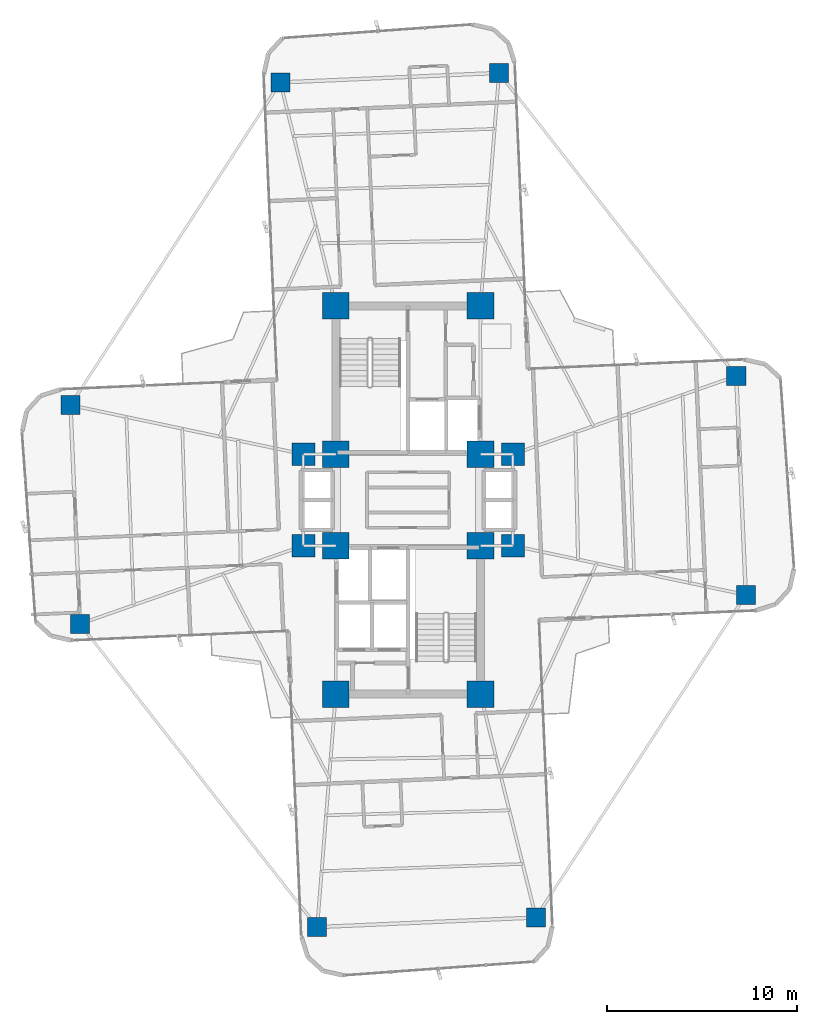
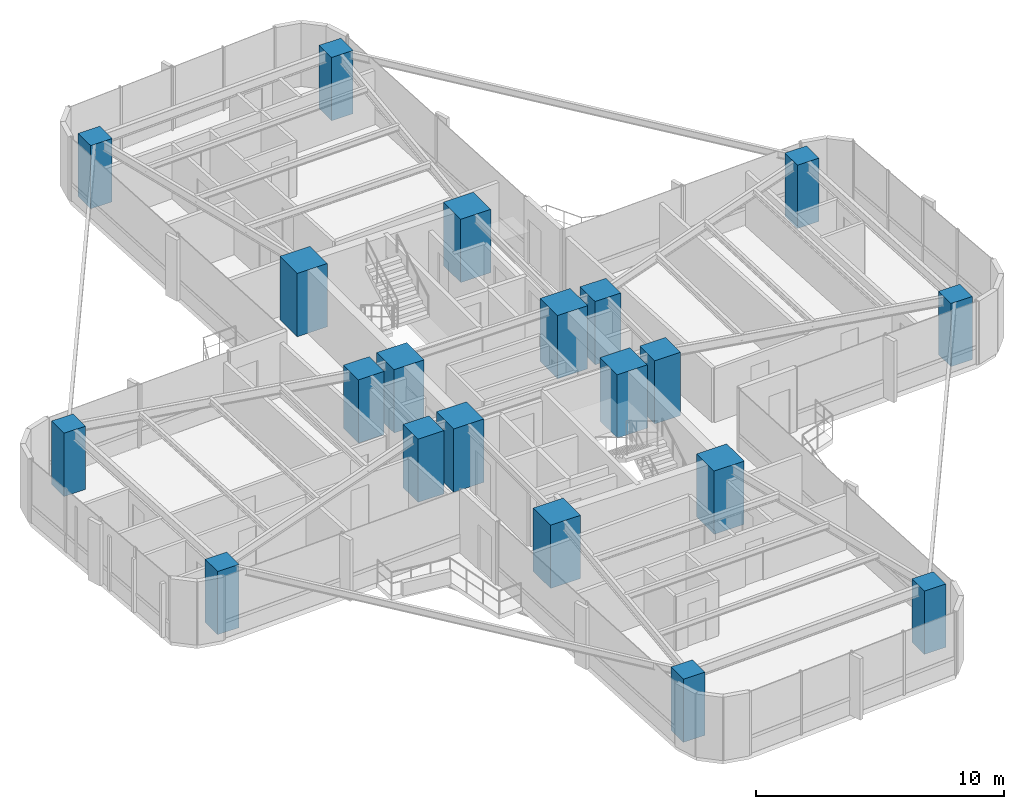
# One storey, part 1 of 26: 20 columns.
"""IFC4 building model written with IfcOpenShell, lengths in metres."""

import ifcopenshell
import ifcopenshell.guid

model = None  # the IFC model being written
_history = None  # IfcOwnerHistory: only IFC2X3 demands one
_inside = {}  # id of a spatial element -> (the spatial element, [elements in it])
_under = {}  # id of a project, library or spatial element -> (it, [spatial elements below it])
_declared = {}  # id of a project -> (the project, [libraries it declares])
_typed = {}  # id of a type object -> (the type object, [elements of that type])
_made_of = {}  # id of a material, layer set ... -> (it, [elements and type objects made of it])


def new_model(schema):
    """Start an empty IFC model of exactly this schema.

    Asked for "IFC4X3", IfcOpenShell would pick the latest addendum, in which some entities
    have other attributes; the version numbers below select the first issue.
    IFC2X3 requires an IfcOwnerHistory on every rooted entity: one is made here for all.
    """
    global model, _history
    if schema == "IFC4X3":
        model = ifcopenshell.file(schema_version=(4, 3, 0, 0))
    else:
        model = ifcopenshell.file(schema=schema)
    _inside.clear()
    _under.clear()
    _declared.clear()
    _typed.clear()
    _made_of.clear()
    _history = None
    if model.schema == "IFC2X3":
        org = make("IfcOrganization", Name="unknown")
        user = make(
            "IfcPersonAndOrganization",
            ThePerson=make("IfcPerson", FamilyName="unknown"),
            TheOrganization=org,
        )
        app = make(
            "IfcApplication",
            ApplicationDeveloper=org,
            Version="unknown",
            ApplicationFullName="unknown",
            ApplicationIdentifier="unknown",
        )
        _history = make(
            "IfcOwnerHistory",
            OwningUser=user,
            OwningApplication=app,
            ChangeAction="ADDED",
            CreationDate=0,
        )
    return model


def make(cls, **values):
    """One entity of the class cls with the attributes given. An attribute that is None is left unset."""
    return model.create_entity(
        cls, **{name: value for name, value in values.items() if value is not None}
    )


def rooted(cls, **values):
    """An entity with a GlobalId (a new one), such as an element, a storey or a relation."""
    return make(cls, GlobalId=ifcopenshell.guid.new(), OwnerHistory=_history, **values)


def si_unit(unit_type, name, prefix=None):
    """IfcSIUnit, for example si_unit("LENGTHUNIT", "METRE", prefix="MILLI")."""
    return make("IfcSIUnit", UnitType=unit_type, Prefix=prefix, Name=name)


def assignment(units):
    """IfcUnitAssignment: the units of a project."""
    return None if units is None else make("IfcUnitAssignment", Units=units)


def point(xyz):
    """IfcCartesianPoint."""
    return None if xyz is None else make("IfcCartesianPoint", Coordinates=xyz)


def direction(xyz):
    """IfcDirection."""
    return None if xyz is None else make("IfcDirection", DirectionRatios=xyz)


def frame(location, z_axis=None, x_axis=None):
    """IfcAxis2Placement3D, a coordinate frame: its origin and axes. An axis left out is left unset."""
    return make(
        "IfcAxis2Placement3D",
        Location=point(location),
        Axis=direction(z_axis),
        RefDirection=direction(x_axis),
    )


def frame_2d(location, x_axis=None):
    """IfcAxis2Placement2D, a coordinate frame in the plane: its origin and x axis."""
    return make(
        "IfcAxis2Placement2D", Location=point(location), RefDirection=direction(x_axis)
    )


def origin():
    """The frame at (0, 0, 0) with its axes left unset."""
    return frame((0.0, 0.0, 0.0))


def origin_2d():
    """The frame at (0, 0) in the plane with its x axis left unset."""
    return frame_2d((0.0, 0.0))


def place(relative_to, where):
    """IfcLocalPlacement: puts the frame where relative to a parent placement (None: the world)."""
    return make(
        "IfcLocalPlacement", PlacementRelTo=relative_to, RelativePlacement=where
    )


def context(
    kind, dimensions, precision=None, world=None, true_north=None, identifier=None
):
    """IfcGeometricRepresentationContext, for example the 3D "Model" context."""
    return make(
        "IfcGeometricRepresentationContext",
        ContextIdentifier=identifier,
        ContextType=kind,
        CoordinateSpaceDimension=dimensions,
        Precision=precision,
        WorldCoordinateSystem=world,
        TrueNorth=true_north,
    )


def subcontext(parent, identifier, kind, view, scale=None):
    """IfcGeometricRepresentationSubContext, for example "Body" below "Model"."""
    return make(
        "IfcGeometricRepresentationSubContext",
        ContextIdentifier=identifier,
        ContextType=kind,
        ParentContext=parent,
        TargetScale=scale,
        TargetView=view,
    )


def project(units=None, contexts=None):
    """IfcProject with its units and contexts."""
    return rooted(
        "IfcProject",
        Name="project",
        RepresentationContexts=contexts,
        UnitsInContext=assignment(units),
    )


def spatial(cls, under=None, at=None, **own):
    """A site, building, storey or space (cls), placed at a placement, below another one or the project."""
    s = rooted(cls, ObjectPlacement=at, **own)
    if under is not None:
        _under.setdefault(under.id(), (under, []))[1].append(s)
    return s


def profile(cls, at=None, kind="AREA", **sizes):
    """A parametric profile (cls). Its sizes go by their IFC names, for example OverallWidth=200.0."""
    return make(cls, ProfileType=kind, Position=at, **sizes)


def rectangle(**sizes):
    """IfcRectangleProfileDef."""
    return profile("IfcRectangleProfileDef", **sizes)


def extrude(swept, where, along, depth):
    """IfcExtrudedAreaSolid: the profile swept, set in the frame where, extruded along a direction by depth."""
    return make(
        "IfcExtrudedAreaSolid",
        SweptArea=swept,
        Position=where,
        ExtrudedDirection=direction(along),
        Depth=depth,
    )


def shape(context_of_items, identifier, shape_type, items):
    """IfcShapeRepresentation: the items that make up one representation, for example the "Body"."""
    return make(
        "IfcShapeRepresentation",
        ContextOfItems=context_of_items,
        RepresentationIdentifier=identifier,
        RepresentationType=shape_type,
        Items=items,
    )


def source(mapping_origin, context_of_items, identifier, shape_type, items):
    """IfcRepresentationMap: a shape defined once, which mapped items show again and again."""
    return make(
        "IfcRepresentationMap",
        MappingOrigin=mapping_origin,
        MappedRepresentation=shape(context_of_items, identifier, shape_type, items),
    )


def transform(
    local_origin,
    x_axis=None,
    y_axis=None,
    z_axis=None,
    scale=None,
    scale2=None,
    scale3=None,
    uniform=True,
):
    """IfcCartesianTransformationOperator3D, or its non-uniform kind. x_axis, y_axis, z_axis: its Axis1, 2, 3."""
    if uniform:
        return make(
            "IfcCartesianTransformationOperator3D",
            Axis1=direction(x_axis),
            Axis2=direction(y_axis),
            LocalOrigin=point(local_origin),
            Scale=scale,
            Axis3=direction(z_axis),
        )
    return make(
        "IfcCartesianTransformationOperator3DnonUniform",
        Axis1=direction(x_axis),
        Axis2=direction(y_axis),
        LocalOrigin=point(local_origin),
        Scale=scale,
        Axis3=direction(z_axis),
        Scale2=scale2,
        Scale3=scale3,
    )


def mapped(mapping_source, mapping_target):
    """IfcMappedItem: shows the shape of a source again, moved by a transform."""
    return make(
        "IfcMappedItem", MappingSource=mapping_source, MappingTarget=mapping_target
    )


def material(Name=None, Category=None):
    """IfcMaterial."""
    return make("IfcMaterial", Name=Name, Category=Category)


def material_profile(
    of_material, cross_section, Name=None, Category=None, Priority=None
):
    """IfcMaterialProfile: a cross section and its material."""
    return make(
        "IfcMaterialProfile",
        Name=Name,
        Material=of_material,
        Profile=cross_section,
        Priority=Priority,
        Category=Category,
    )


def profile_set(profiles, Name=None, composite=None):
    """IfcMaterialProfileSet."""
    return make(
        "IfcMaterialProfileSet",
        Name=Name,
        MaterialProfiles=profiles,
        CompositeProfile=composite,
    )


def made_of(thing, what):
    """Note that an element or type object is made of a material, layer set ...; save() writes the relation."""
    if what is not None:
        _made_of.setdefault(what.id(), (what, []))[1].append(thing)
    return thing


def type_object(cls, material=None, **own):
    """A type object (cls), such as IfcWallType, which elements share."""
    return made_of(rooted(cls, **own), material)


def element(
    cls,
    number,
    at=None,
    inside=None,
    cuts=None,
    type_object=None,
    material=None,
    context=None,
    identifier="Body",
    shape_type=None,
    held_by="IfcProductDefinitionShape",
    body=None,
    shapes=None,
    **own,
):
    """One element of the class cls, such as IfcWall. Its Tag is "e" and its number.

    at: its placement. inside: the storey or other place that contains it. cuts: it is an
    opening in that element (IfcRelVoidsElement). A single representation is given by context,
    identifier, shape_type and body (its items); several are given by shapes. held_by: the class
    of the entity that holds the representations. save() writes the other relations.
    """
    e = rooted(cls, Tag="e%d" % number, ObjectPlacement=at, **own)
    if body is not None:
        shapes = [shape(context, identifier, shape_type, body)]
    if shapes is not None:
        e.Representation = make(held_by, Representations=shapes)
    if inside is not None:
        _inside.setdefault(inside.id(), (inside, []))[1].append(e)
    if cuts is not None:
        rooted(
            "IfcRelVoidsElement", RelatingBuildingElement=cuts, RelatedOpeningElement=e
        )
    if type_object is not None:
        _typed.setdefault(type_object.id(), (type_object, []))[1].append(e)
    return made_of(e, material)


def aggregate(whole, parts):
    """IfcRelAggregates: a whole, such as a stair, and the parts it consists of."""
    return rooted("IfcRelAggregates", RelatingObject=whole, RelatedObjects=parts)


def save(model, path):
    """Write the relations noted so far, then the file.

    IfcRelAggregates (storeys below a building ...), IfcRelContainedInSpatialStructure (elements
    in a storey), IfcRelDefinesByType, IfcRelAssociatesMaterial and IfcRelDeclares: one each for
    every whole, place, type object, material and project.
    """
    for whole, parts in _under.values():
        aggregate(whole, parts)
    for where, things in _inside.values():
        rooted(
            "IfcRelContainedInSpatialStructure",
            RelatedElements=things,
            RelatingStructure=where,
        )
    for kind, things in _typed.values():
        rooted("IfcRelDefinesByType", RelatedObjects=things, RelatingType=kind)
    for what, things in _made_of.values():
        rooted("IfcRelAssociatesMaterial", RelatedObjects=things, RelatingMaterial=what)
    for by, libraries in _declared.values():
        rooted("IfcRelDeclares", RelatingContext=by, RelatedDefinitions=libraries)
    model.write(path)


model = new_model("IFC4")

# Units and contexts
model_context = context("Model", 3, precision=1e-05, world=origin(), true_north=direction((0.0, 1.0)))
body_context = subcontext(model_context, "Body", "Model", "MODEL_VIEW")
ifc_project = project(units=[si_unit("LENGTHUNIT", "METRE"), si_unit("AREAUNIT", "SQUARE_METRE"), si_unit("VOLUMEUNIT", "CUBIC_METRE"), si_unit("PLANEANGLEUNIT", "RADIAN"), si_unit("MASSUNIT", "GRAM", prefix="KILO")], contexts=[model_context])

# Site, building, storey
site_placement = place(None, origin())
site = spatial("IfcSite", under=ifc_project, at=site_placement, CompositionType="ELEMENT")
building_placement = place(site_placement, origin())
building = spatial("IfcBuilding", under=site, at=building_placement, Name="Sahyath Konkavel Grand Hotel", CompositionType="ELEMENT")
storey_placement = place(building_placement, frame((0.0, 0.0, 100.25)))
storey = spatial("IfcBuildingStorey", under=building, at=storey_placement, Name="L27", CompositionType="ELEMENT", Elevation=100.25)

# Columns
ifc_material_1 = material(Name="Concrete C70/85", Category="concrete")
ifc_material_profile_1 = material_profile(ifc_material_1, rectangle(XDim=1.39990234375, YDim=1.39990234375, at=origin_2d()), Name="RC 1400x1400")
ifc_profile_set_1 = profile_set([ifc_material_profile_1], Name="Concrete C70/85")
column_type_1 = type_object("IfcColumnType", Name="COL-RC1400", PredefinedType="COLUMN", material=ifc_profile_set_1)
shared_shape_1 = source(origin(), body_context, "Body", "SweptSolid", [
    extrude(rectangle(XDim=1.39990234375, YDim=1.39990234375, at=origin_2d()), origin(), (0.0, 0.0, 1.0), 3.110107421875),
])
for number, where, z_axis, x_axis, name in (
    (1, (-3.800048828125, 2.39990234375, 0.0), (0.0, 0.0, 1.0), (1.0, 0.0, 0.0), "L27 Core Boundary Column NC-SW"),
    (2, (3.800048828125, 2.39990234375, 0.0), (0.0, 0.0, 1.0), (1.0, 0.0, 0.0), "L27 Core Boundary Column NC-SE"),
    (3, (-3.800048828125, 10.199951171875, 0.0), (0.0, 0.0, 1.0), (1.0, 0.0, 0.0), "L27 Core Boundary Column NC-NW"),
    (4, (3.800048828125, 10.199951171875, 0.0), (0.0, 0.0, 1.0), (1.0, 0.0, 0.0), "L27 Core Boundary Column NC-NE"),
    (5, (-3.800048828125, -2.39990234375, 0.0), (0.0, 0.0, 1.0), (1.0, 0.0, 0.0), "L27 Core Boundary Column SC-NW"),
    (6, (3.800048828125, -2.39990234375, 0.0), (0.0, 0.0, 1.0), (1.0, 0.0, 0.0), "L27 Core Boundary Column SC-NE"),
    (7, (-3.800048828125, -10.199951171875, 0.0), (0.0, 0.0, 1.0), (1.0, 0.0, 0.0), "L27 Core Boundary Column SC-SW"),
    (8, (3.800048828125, -10.199951171875, 0.0), (0.0, 0.0, 1.0), (1.0, 0.0, 0.0), "L27 Core Boundary Column SC-SE"),
):
    element("IfcColumn", number, at=place(storey_placement, frame(where, z_axis=z_axis, x_axis=x_axis)), inside=storey, type_object=column_type_1, Name=name, PredefinedType="COLUMN", context=body_context, shape_type="MappedRepresentation", body=[
        mapped(shared_shape_1, transform((0.0, 0.0, 0.0), scale=1.0)),
    ])
ifc_material_2 = material(Name="Concrete C50/60", Category="concrete")
ifc_material_profile_2 = material_profile(ifc_material_2, rectangle(XDim=1.199951171875, YDim=1.199951171875, at=origin_2d()), Name="RC 1200x1200")
ifc_profile_set_2 = profile_set([ifc_material_profile_2], Name="Concrete C50/60")
column_type_2 = type_object("IfcColumnType", Name="COL-RC1200", PredefinedType="COLUMN", material=ifc_profile_set_2)
shared_shape_2 = source(origin(), body_context, "Body", "SweptSolid", [
    extrude(rectangle(XDim=1.199951171875, YDim=1.199951171875, at=origin_2d()), origin(), (0.0, 0.0, 1.0), 3.110107421875),
])
for number, where, z_axis, x_axis, name in (
    (9, (5.5, 2.39990234375, 0.0), (0.0, 0.0, 1.0), (1.0, 0.0, 0.0), "L27 Central Spine Column HB-NE"),
    (10, (-5.5, 2.39990234375, 0.0), (0.0, 0.0, 1.0), (1.0, 0.0, 0.0), "L27 Central Spine Column HB-NW"),
    (11, (5.5, -2.39990234375, 0.0), (0.0, 0.0, 1.0), (1.0, 0.0, 0.0), "L27 Central Spine Column HB-SE"),
    (12, (-5.5, -2.39990234375, 0.0), (0.0, 0.0, 1.0), (1.0, 0.0, 0.0), "L27 Central Spine Column HB-SW"),
):
    element("IfcColumn", number, at=place(storey_placement, frame(where, z_axis=z_axis, x_axis=x_axis)), inside=storey, type_object=column_type_2, Name=name, PredefinedType="COLUMN", context=body_context, shape_type="MappedRepresentation", body=[
        mapped(shared_shape_2, transform((0.0, 0.0, 0.0), scale=1.0)),
    ])
ifc_material_profile_3 = material_profile(ifc_material_2, rectangle(XDim=1.0, YDim=1.0, at=origin_2d()), Name="RC 1000x1000")
ifc_profile_set_3 = profile_set([ifc_material_profile_3], Name="Concrete C50/60")
column_type_3 = type_object("IfcColumnType", Name="COL-RC1000", PredefinedType="COLUMN", material=ifc_profile_set_3)
shared_shape_3 = source(origin(), body_context, "Body", "SweptSolid", [
    extrude(rectangle(XDim=1.0, YDim=1.0, at=origin_2d()), origin(), (0.0, 0.0, 1.0), 3.110107421875),
])
for number, where, z_axis, x_axis, name in (
    (13, (17.734130859375, -4.981201171875, 0.0), (0.0, 0.0, 1.0), (1.0, 0.0, 0.0), "L27 Cruciform Wing Column WC-EA"),
    (14, (17.232421875, 6.5078125, 0.0), (0.0, 0.0, 1.0), (1.0, 0.0, 0.0), "L27 Cruciform Wing Column WC-EB"),
    (15, (4.776123046875, 22.4296875, 0.0), (0.0, 0.0, 1.0), (1.0, 0.0, 0.0), "L27 Cruciform Wing Column WC-NA"),
    (16, (-6.712890625, 21.927978515625, 0.0), (0.0, 0.0, 1.0), (1.0, 0.0, 0.0), "L27 Cruciform Wing Column WC-NB"),
    (17, (-17.734130859375, 4.981201171875, 0.0), (0.0, 0.0, 1.0), (1.0, 0.0, 0.0), "L27 Cruciform Wing Column WC-WA"),
    (18, (-17.232421875, -6.5078125, 0.0), (0.0, 0.0, 1.0), (1.0, 0.0, 0.0), "L27 Cruciform Wing Column WC-WB"),
    (19, (-4.776123046875, -22.4296875, 0.0), (0.0, 0.0, 1.0), (1.0, 0.0, 0.0), "L27 Cruciform Wing Column WC-SA"),
    (20, (6.712890625, -21.927978515625, 0.0), (0.0, 0.0, 1.0), (1.0, 0.0, 0.0), "L27 Cruciform Wing Column WC-SB"),
):
    element("IfcColumn", number, at=place(storey_placement, frame(where, z_axis=z_axis, x_axis=x_axis)), inside=storey, type_object=column_type_3, Name=name, PredefinedType="COLUMN", context=body_context, shape_type="MappedRepresentation", body=[
        mapped(shared_shape_3, transform((0.0, 0.0, 0.0), scale=1.0)),
    ])

save(model, "model.ifc")
